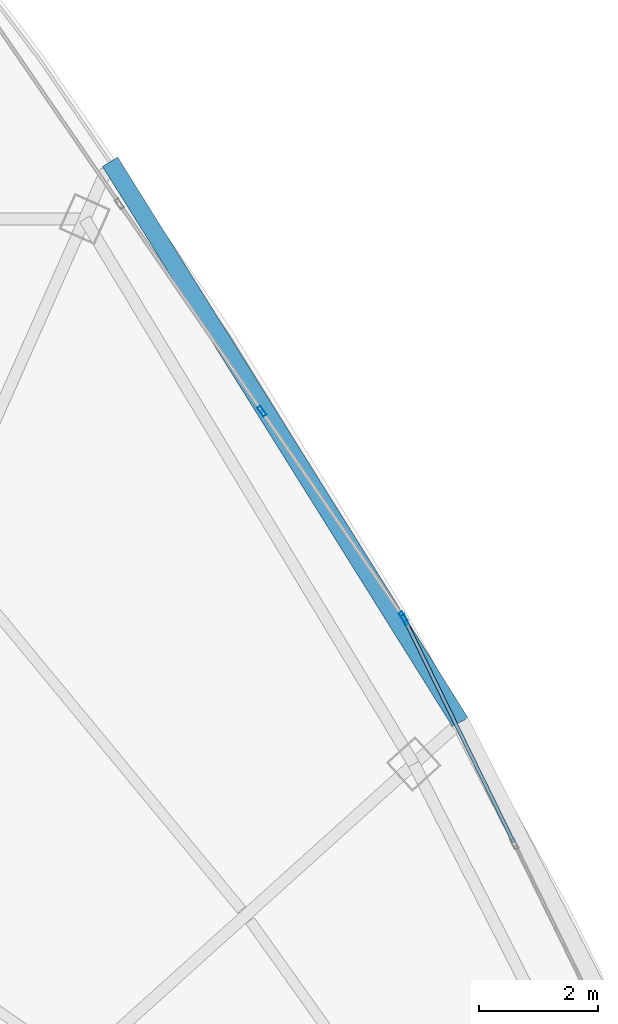
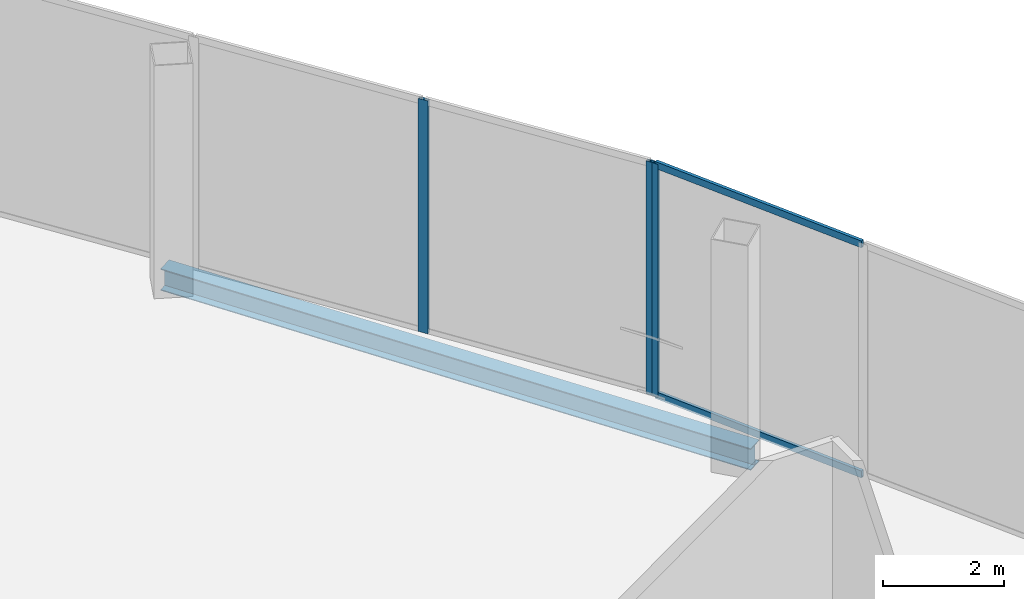
# One storey, part 22 of 32: 5 members, 1 beam, 2 elements without a shape of their own.
"""IFC4 building model written with IfcOpenShell, lengths in metres."""

from ifc_helpers import new_model, si_unit, direction, frame, origin, origin_2d, place, context, subcontext, project, spatial, hollow_rectangle, i_section, extrude, source, transform, mapped, material, layer, layer_set, material_profile, profile_set, type_object, element, aggregate, save


model = new_model("IFC4")

# Units and contexts
model_context = context("Model", 3, precision=1e-05, world=origin(), true_north=direction((0.0, 1.0)))
body_context = subcontext(model_context, "Body", "Model", "MODEL_VIEW")
ifc_project = project(units=[si_unit("LENGTHUNIT", "METRE"), si_unit("AREAUNIT", "SQUARE_METRE"), si_unit("VOLUMEUNIT", "CUBIC_METRE"), si_unit("PLANEANGLEUNIT", "RADIAN"), si_unit("MASSUNIT", "GRAM", prefix="KILO"), si_unit("THERMODYNAMICTEMPERATUREUNIT", "KELVIN"), si_unit("POWERUNIT", "WATT")], contexts=[model_context])

# Site, building, storey
site_placement = place(None, origin())
site = spatial("IfcSite", under=ifc_project, at=site_placement, CompositionType="ELEMENT")
building_placement = place(site_placement, origin())
building = spatial("IfcBuilding", under=site, at=building_placement, Name="Yunzhuo Pagoda Commons", CompositionType="ELEMENT")
storey_placement = place(building_placement, frame((0.0, 0.0, 396.760009765625)))
storey = spatial("IfcBuildingStorey", under=building, at=storey_placement, Name="L98", CompositionType="ELEMENT", Elevation=396.760009765625)

# Beam
ifc_material_1 = material(Name="Structural steel Q355B", Category="steel")
ifc_material_profile_1 = material_profile(ifc_material_1, i_section(OverallWidth=0.300048828125, OverallDepth=0.43994140625, WebThickness=0.010986328125, FlangeThickness=0.01806640625, at=origin_2d()), Name="Structural steel Q355B")
ifc_profile_set_1 = profile_set([ifc_material_profile_1], Name="Structural steel Q355B")
beam_type = type_object("IfcBeamType", Name="B-SP2 Beam HM 440x300x11x18", PredefinedType="BEAM", material=ifc_profile_set_1)
shared_shape_1 = source(origin(), body_context, "Body", "SweptSolid", [
    extrude(i_section(OverallWidth=0.300048828125, OverallDepth=0.43994140625, WebThickness=0.010986328125, FlangeThickness=0.01806640625, at=origin_2d()), origin(), (0.0, 0.0, 1.0), 11.094482421875),
])
beam_placement = place(storey_placement, frame((64.804931640625, 48.831298828125, -0.5), z_axis=(-0.529915860294, 0.848050223164, 0.0), x_axis=(-0.848050223164, -0.529915860294, 0.0)))
element("IfcBeam", 1, at=beam_placement, inside=storey, type_object=beam_type, Name="L98 facade edge spandrel beam F2.3", PredefinedType="BEAM", context=body_context, shape_type="MappedRepresentation", body=[
    mapped(shared_shape_1, transform((0.0, 0.0, 0.0), scale=1.0)),
])

# Curtain wall, member
ifc_material_2 = material(Name="Anodized aluminium 6063-T6", Category="aluminium")
ifc_layer = layer(ifc_material_2, 0.179931640625)
ifc_layer_set = layer_set([ifc_layer], Name="Anodized aluminium 6063-T6")
curtain_wall_type = type_object("IfcCurtainWallType", Name="CW-CRN Crown Gable Glazing System", PredefinedType="NOTDEFINED", material=ifc_layer_set)
curtain_wall_1_placement = place(storey_placement, origin())
curtain_wall_1 = element("IfcCurtainWall", 2, at=curtain_wall_1_placement, inside=storey, type_object=curtain_wall_type, Name="L98 curtain wall CW-L98-CRNF2G1", PredefinedType="NOTDEFINED")
ifc_material_profile_2 = material_profile(ifc_material_2, hollow_rectangle(XDim=0.06494140625, YDim=0.179931640625, WallThickness=0.00390625, at=origin_2d()), Name="Anodized aluminium 6063-T6")
ifc_profile_set_2 = profile_set([ifc_material_profile_2], Name="Anodized aluminium 6063-T6")
member_type_1 = type_object("IfcMemberType", Name="CW-CRN-M Mullion RHS 180x65x4", PredefinedType="MULLION", material=ifc_profile_set_2)
shared_shape_2 = source(origin(), body_context, "Body", "SweptSolid", [
    extrude(hollow_rectangle(XDim=0.06494140625, YDim=0.179931640625, WallThickness=0.00390625, at=origin_2d()), origin(), (0.0, 0.0, 1.0), 4.72021484375),
])
member_1_placement = place(storey_placement, frame((63.873779296875, 50.55322265625, 0.0), z_axis=(0.0, 0.0, 1.0), x_axis=(-0.898299261226, -0.439384156839, 0.0)))
member_1 = element("IfcMember", 3, at=member_1_placement, type_object=member_type_1, Name="CW mullion 5", PredefinedType="MULLION", context=body_context, shape_type="MappedRepresentation", body=[
    mapped(shared_shape_2, transform((0.0, 0.0, 0.0), scale=1.0)),
])

# Curtain wall, members
curtain_wall_2_placement = place(storey_placement, origin())
curtain_wall_2 = element("IfcCurtainWall", 4, at=curtain_wall_2_placement, inside=storey, type_object=curtain_wall_type, Name="L98 curtain wall CW-L98-CRNF2G2", PredefinedType="NOTDEFINED")
member_2_placement = place(storey_placement, frame((63.84716796875, 50.59912109375, 0.0), z_axis=(0.0, 0.0, 1.0), x_axis=(-0.824296116005, -0.566158911561, 0.0)))
member_2 = element("IfcMember", 5, at=member_2_placement, type_object=member_type_1, Name="CW mullion 1", PredefinedType="MULLION", context=body_context, shape_type="MappedRepresentation", body=[
    mapped(shared_shape_2, transform((0.0, 0.0, 0.0), scale=1.0)),
])
member_3_placement = place(storey_placement, frame((61.47509765625, 54.05322265625, 0.0), z_axis=(0.0, 0.0, 1.0), x_axis=(-0.824296116005, -0.566158911561, 0.0)))
member_3 = element("IfcMember", 6, at=member_3_placement, type_object=member_type_1, Name="CW mullion 2", PredefinedType="MULLION", context=body_context, shape_type="MappedRepresentation", body=[
    mapped(shared_shape_2, transform((0.0, 0.0, 0.0), scale=1.0)),
])
aggregate(curtain_wall_2, [member_2, member_3])

# Member
ifc_material_profile_3 = material_profile(ifc_material_2, hollow_rectangle(XDim=0.06005859375, YDim=0.139892578125, WallThickness=0.00341796875, at=origin_2d()), Name="Anodized aluminium 6063-T6")
ifc_profile_set_3 = profile_set([ifc_material_profile_3], Name="Anodized aluminium 6063-T6")
member_type_2 = type_object("IfcMemberType", Name="CW-CRN-T Transom RHS 140x60x3.5", PredefinedType="USERDEFINED", material=ifc_profile_set_3)
shared_shape_3 = source(origin(), body_context, "Body", "SweptSolid", [
    extrude(hollow_rectangle(XDim=0.06005859375, YDim=0.139892578125, WallThickness=0.00341796875, at=origin_2d()), origin(), (0.0, 0.0, 1.0), 4.125244140625),
])
member_4_placement = place(storey_placement, frame((65.70068359375, 46.818359375, 0.030029296875), z_axis=(-0.439360850233, 0.898310660787, 0.0), x_axis=(-0.898310660787, -0.439360850233, 0.0)))
member_4 = element("IfcMember", 7, at=member_4_placement, type_object=member_type_2, Name="CW transom 4.1", ObjectType="TRANSOM", PredefinedType="USERDEFINED", context=body_context, shape_type="MappedRepresentation", body=[
    mapped(shared_shape_3, transform((0.0, 0.0, 0.0), scale=1.0)),
])

member_5_placement = place(storey_placement, frame((65.70068359375, 46.818359375, 4.68994140625), z_axis=(-0.439360850233, 0.898310660787, 0.0), x_axis=(-0.898310660787, -0.439360850233, 0.0)))
member_5 = element("IfcMember", 8, at=member_5_placement, type_object=member_type_2, Name="CW transom 4.2", ObjectType="TRANSOM", PredefinedType="USERDEFINED", context=body_context, shape_type="MappedRepresentation", body=[
    mapped(shared_shape_3, transform((0.0, 0.0, 0.0), scale=1.0)),
])

aggregate(curtain_wall_1, [member_1, member_4, member_5])

save(model, "model.ifc")
